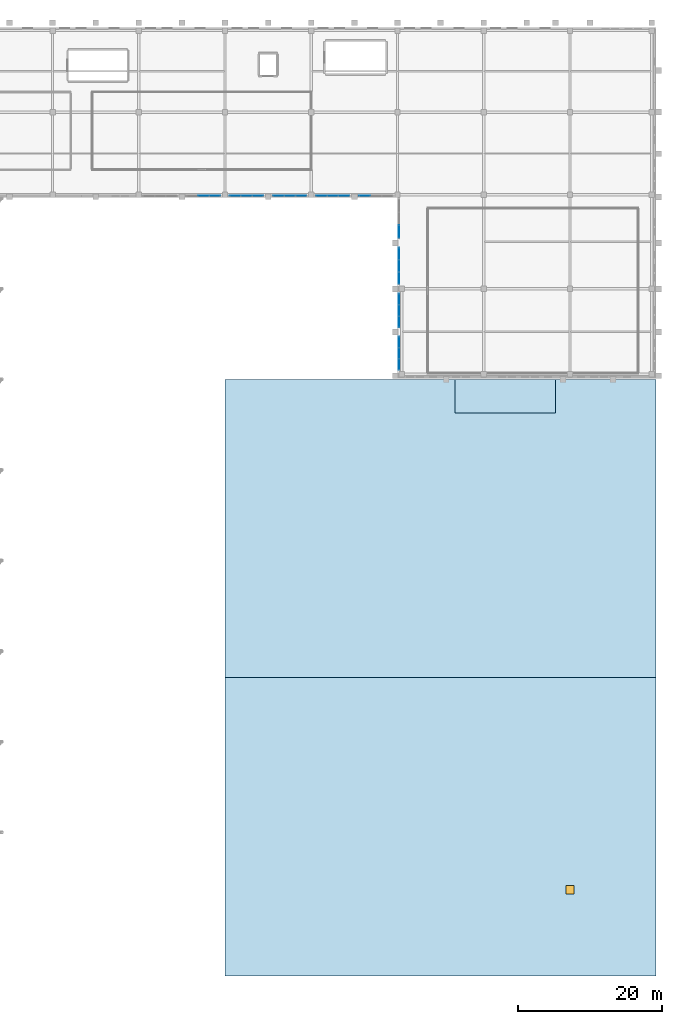
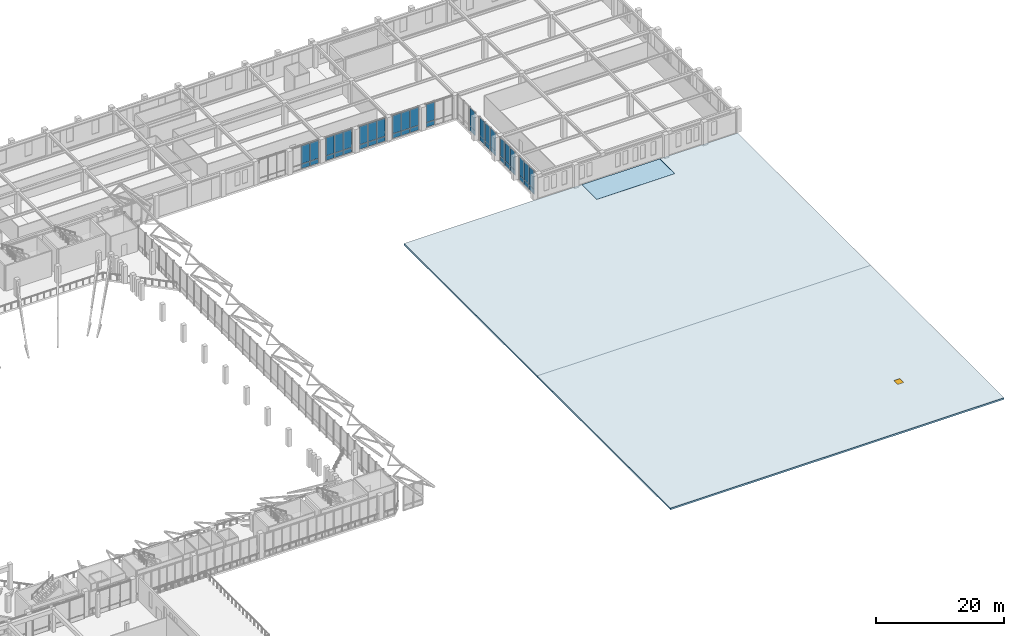
# One storey, part 50 of 79: 44 plates, 3 slabs, 1 door, 1 opening, 9 elements without a shape of their own.
"""IFC4 building model written with IfcOpenShell, lengths in metres."""

from ifc_helpers import new_model, si_unit, derived_unit, direction, frame, origin, origin_2d, place, context, subcontext, project, spatial, polyline, rectangle, outline, extrude, material, layer, layer_set, type_object, element, fill, aggregate, save


model = new_model("IFC4")

# Units and contexts
model_context = context("Model", 3, precision=1e-05, world=origin(), true_north=direction((0.0, 1.0)))
body_context = subcontext(model_context, "Body", "Model", "MODEL_VIEW")
ifc_project = project(units=[si_unit("LENGTHUNIT", "METRE"), si_unit("AREAUNIT", "SQUARE_METRE"), si_unit("VOLUMEUNIT", "CUBIC_METRE"), si_unit("PLANEANGLEUNIT", "RADIAN"), si_unit("MASSUNIT", "GRAM", prefix="KILO"), derived_unit("THERMALTRANSMITTANCEUNIT", [(si_unit("MASSUNIT", "GRAM", prefix="KILO"), 1), (si_unit("TIMEUNIT", "SECOND"), -3), (si_unit("THERMODYNAMICTEMPERATUREUNIT", "KELVIN"), -1)])], contexts=[model_context])

# Site, building, storey
site_placement = place(None, origin())
site = spatial("IfcSite", under=ifc_project, at=site_placement, CompositionType="ELEMENT")
building_placement = place(site_placement, origin())
building = spatial("IfcBuilding", under=site, at=building_placement, Name="Valcora Ridge Arena", CompositionType="ELEMENT")
storey_placement = place(building_placement, frame((0.0, 0.0, 16.199951171875)))
storey = spatial("IfcBuildingStorey", under=building, at=storey_placement, Name="L03", CompositionType="ELEMENT", Elevation=16.199951171875)

# Curtain wall, plates
ifc_material_1 = material(Name="Anodised dark bronze architectural aluminium 6063-T6", Category="aluminium")
ifc_layer_1 = layer(ifc_material_1, 0.14990234375, Name="Anodised dark bronze architectural aluminium 6063-T6")
ifc_layer_set_1 = layer_set([ifc_layer_1], Name="Anodised dark bronze architectural aluminium 6063-T6")
curtain_wall_type_1 = type_object("IfcCurtainWallType", Name="TY-CURTAINWALL-CW-V5-MED-046X45", PredefinedType="NOTDEFINED", material=ifc_layer_set_1)
curtain_wall_1_placement = place(storey_placement, origin())
curtain_wall_1 = element("IfcCurtainWall", 1, at=curtain_wall_1_placement, inside=storey, type_object=curtain_wall_type_1, Name="CW-V5-MED-046X45 CW-0342", PredefinedType="NOTDEFINED")
ifc_material_2 = material(Name="Low-iron solar-control double glazing SHGC 0.28", Category="glass")
ifc_layer_2 = layer(ifc_material_2, 0.028076171875, Name="Low-iron solar-control double glazing SHGC 0.28")
ifc_layer_set_2 = layer_set([ifc_layer_2], Name="Low-iron solar-control double glazing SHGC 0.28")
plate_type_1 = type_object("IfcPlateType", Name="TY-PLT-CWP-1473X0875", PredefinedType="CURTAIN_PANEL", material=ifc_layer_set_2)
plate_1_placement = place(storey_placement, frame((156.219970703125, 85.1015625, 0.050048828125), z_axis=(0.0, 0.0, 1.0), x_axis=(0.0, 1.0, 0.0)))
plate_1 = element("IfcPlate", 2, at=plate_1_placement, type_object=plate_type_1, Name="CW-0342/P00-00", PredefinedType="CURTAIN_PANEL", context=body_context, shape_type="SweptSolid", body=[
    extrude(rectangle(XDim=1.472900390625, YDim=0.028076171875, at=origin_2d()), origin(), (0.0, 0.0, 1.0), 0.875),
])
plate_2_placement = place(storey_placement, frame((156.219970703125, 88.173583984375, 0.050048828125), z_axis=(0.0, 0.0, 1.0), x_axis=(0.0, 1.0, 0.0)))
plate_2 = element("IfcPlate", 3, at=plate_2_placement, type_object=plate_type_1, Name="CW-0342/P02-00", PredefinedType="CURTAIN_PANEL", context=body_context, shape_type="SweptSolid", body=[
    extrude(rectangle(XDim=1.472900390625, YDim=0.028076171875, at=origin_2d()), origin(), (0.0, 0.0, 1.0), 0.875),
])
ifc_layer_3 = layer(ifc_material_2, 0.028076171875, Name="Low-iron solar-control double glazing SHGC 0.28")
ifc_layer_set_3 = layer_set([ifc_layer_3], Name="Low-iron solar-control double glazing SHGC 0.28")
plate_type_2 = type_object("IfcPlateType", Name="TY-PLT-CWP-1473X3435", PredefinedType="CURTAIN_PANEL", material=ifc_layer_set_3)
plate_3_placement = place(storey_placement, frame((156.219970703125, 85.1015625, 0.97509765625), z_axis=(0.0, 0.0, 1.0), x_axis=(0.0, 1.0, 0.0)))
plate_3 = element("IfcPlate", 4, at=plate_3_placement, type_object=plate_type_2, Name="CW-0342/P00-01", PredefinedType="CURTAIN_PANEL", context=body_context, shape_type="SweptSolid", body=[
    extrude(rectangle(XDim=1.472900390625, YDim=0.028076171875, at=origin_2d()), origin(), (0.0, 0.0, 1.0), 3.43505859375),
])
plate_4_placement = place(storey_placement, frame((156.219970703125, 88.173583984375, 0.97509765625), z_axis=(0.0, 0.0, 1.0), x_axis=(0.0, 1.0, 0.0)))
plate_4 = element("IfcPlate", 5, at=plate_4_placement, type_object=plate_type_2, Name="CW-0342/P02-01", PredefinedType="CURTAIN_PANEL", context=body_context, shape_type="SweptSolid", body=[
    extrude(rectangle(XDim=1.472900390625, YDim=0.028076171875, at=origin_2d()), origin(), (0.0, 0.0, 1.0), 3.43505859375),
])

ifc_layer_4 = layer(ifc_material_1, 0.14990234375, Name="Anodised dark bronze architectural aluminium 6063-T6")
ifc_layer_set_4 = layer_set([ifc_layer_4], Name="Anodised dark bronze architectural aluminium 6063-T6")
curtain_wall_type_2 = type_object("IfcCurtainWallType", Name="TY-CURTAINWALL-CW-V5-MED-047X45", PredefinedType="NOTDEFINED", material=ifc_layer_set_4)
curtain_wall_2_placement = place(storey_placement, origin())
curtain_wall_2 = element("IfcCurtainWall", 6, at=curtain_wall_2_placement, inside=storey, type_object=curtain_wall_type_2, Name="CW-V5-MED-047X45 CW-0343", PredefinedType="NOTDEFINED")
ifc_layer_5 = layer(ifc_material_2, 0.028076171875, Name="Low-iron solar-control double glazing SHGC 0.28")
ifc_layer_set_5 = layer_set([ifc_layer_5], Name="Low-iron solar-control double glazing SHGC 0.28")
plate_type_3 = type_object("IfcPlateType", Name="TY-PLT-CWP-1498X0875", PredefinedType="CURTAIN_PANEL", material=ifc_layer_set_5)
plate_5_placement = place(storey_placement, frame((156.219970703125, 91.0390625, 0.050048828125), z_axis=(0.0, 0.0, 1.0), x_axis=(0.0, 1.0, 0.0)))
plate_5 = element("IfcPlate", 7, at=plate_5_placement, type_object=plate_type_3, Name="CW-0343/P00-00", PredefinedType="CURTAIN_PANEL", context=body_context, shape_type="SweptSolid", body=[
    extrude(rectangle(XDim=1.498046875, YDim=0.028076171875, at=origin_2d()), origin(), (0.0, 0.0, 1.0), 0.875),
])
plate_6_placement = place(storey_placement, frame((156.219970703125, 94.160888671875, 0.050048828125), z_axis=(0.0, 0.0, 1.0), x_axis=(0.0, 1.0, 0.0)))
plate_6 = element("IfcPlate", 8, at=plate_6_placement, type_object=plate_type_3, Name="CW-0343/P02-00", PredefinedType="CURTAIN_PANEL", context=body_context, shape_type="SweptSolid", body=[
    extrude(rectangle(XDim=1.498046875, YDim=0.028076171875, at=origin_2d()), origin(), (0.0, 0.0, 1.0), 0.875),
])
ifc_layer_6 = layer(ifc_material_2, 0.028076171875, Name="Low-iron solar-control double glazing SHGC 0.28")
ifc_layer_set_6 = layer_set([ifc_layer_6], Name="Low-iron solar-control double glazing SHGC 0.28")
plate_type_4 = type_object("IfcPlateType", Name="TY-PLT-CWP-1498X3435", PredefinedType="CURTAIN_PANEL", material=ifc_layer_set_6)
plate_7_placement = place(storey_placement, frame((156.219970703125, 91.0390625, 0.97509765625), z_axis=(0.0, 0.0, 1.0), x_axis=(0.0, 1.0, 0.0)))
plate_7 = element("IfcPlate", 9, at=plate_7_placement, type_object=plate_type_4, Name="CW-0343/P00-01", PredefinedType="CURTAIN_PANEL", context=body_context, shape_type="SweptSolid", body=[
    extrude(rectangle(XDim=1.498046875, YDim=0.028076171875, at=origin_2d()), origin(), (0.0, 0.0, 1.0), 3.43505859375),
])
plate_8_placement = place(storey_placement, frame((156.219970703125, 94.160888671875, 0.97509765625), z_axis=(0.0, 0.0, 1.0), x_axis=(0.0, 1.0, 0.0)))
plate_8 = element("IfcPlate", 10, at=plate_8_placement, type_object=plate_type_4, Name="CW-0343/P02-01", PredefinedType="CURTAIN_PANEL", context=body_context, shape_type="SweptSolid", body=[
    extrude(rectangle(XDim=1.498046875, YDim=0.028076171875, at=origin_2d()), origin(), (0.0, 0.0, 1.0), 3.43505859375),
])

# Plate
ifc_layer_7 = layer(ifc_material_2, 0.028076171875, Name="Low-iron solar-control double glazing SHGC 0.28")
ifc_layer_set_7 = layer_set([ifc_layer_7], Name="Low-iron solar-control double glazing SHGC 0.28")
plate_type_5 = type_object("IfcPlateType", Name="TY-PLT-CWP-1499X0875", PredefinedType="CURTAIN_PANEL", material=ifc_layer_set_7)
plate_9_placement = place(storey_placement, frame((156.219970703125, 86.637451171875, 0.050048828125), z_axis=(0.0, 0.0, 1.0), x_axis=(0.0, 1.0, 0.0)))
plate_9 = element("IfcPlate", 11, at=plate_9_placement, type_object=plate_type_5, Name="CW-0342/P01-00", PredefinedType="CURTAIN_PANEL", context=body_context, shape_type="SweptSolid", body=[
    extrude(rectangle(XDim=1.4990234375, YDim=0.028076171875, at=origin_2d()), origin(), (0.0, 0.0, 1.0), 0.875),
])

ifc_layer_8 = layer(ifc_material_2, 0.028076171875, Name="Low-iron solar-control double glazing SHGC 0.28")
ifc_layer_set_8 = layer_set([ifc_layer_8], Name="Low-iron solar-control double glazing SHGC 0.28")
plate_type_6 = type_object("IfcPlateType", Name="TY-PLT-CWP-1499X3435", PredefinedType="CURTAIN_PANEL", material=ifc_layer_set_8)
plate_10_placement = place(storey_placement, frame((156.219970703125, 86.637451171875, 0.97509765625), z_axis=(0.0, 0.0, 1.0), x_axis=(0.0, 1.0, 0.0)))
plate_10 = element("IfcPlate", 12, at=plate_10_placement, type_object=plate_type_6, Name="CW-0342/P01-01", PredefinedType="CURTAIN_PANEL", context=body_context, shape_type="SweptSolid", body=[
    extrude(rectangle(XDim=1.4990234375, YDim=0.028076171875, at=origin_2d()), origin(), (0.0, 0.0, 1.0), 3.43505859375),
])

aggregate(curtain_wall_1, [plate_1, plate_3, plate_9, plate_10, plate_2, plate_4])

# Curtain wall, plate
curtain_wall_3_placement = place(storey_placement, origin())
curtain_wall_3 = element("IfcCurtainWall", 13, at=curtain_wall_3_placement, inside=storey, type_object=curtain_wall_type_2, Name="CW-V5-MED-047X45 CW-0337", PredefinedType="NOTDEFINED")
ifc_layer_9 = layer(ifc_material_2, 0.028076171875, Name="Low-iron solar-control double glazing SHGC 0.28")
ifc_layer_set_9 = layer_set([ifc_layer_9], Name="Low-iron solar-control double glazing SHGC 0.28")
plate_type_7 = type_object("IfcPlateType", Name="TY-PLT-CWP-1507X0875", PredefinedType="CURTAIN_PANEL", material=ifc_layer_set_9)
plate_11_placement = place(storey_placement, frame((130.58154296875, 108.550048828125, 0.050048828125), z_axis=(0.0, 0.0, 1.0), x_axis=(1.0, 0.0, 0.0)))
plate_11 = element("IfcPlate", 14, at=plate_11_placement, type_object=plate_type_7, Name="CW-0337/P02-00", PredefinedType="CURTAIN_PANEL", context=body_context, shape_type="SweptSolid", body=[
    extrude(rectangle(XDim=1.507080078125, YDim=0.028076171875, at=origin_2d()), origin(), (0.0, 0.0, 1.0), 0.875),
])

# Curtain wall, plates
curtain_wall_4_placement = place(storey_placement, origin())
curtain_wall_4 = element("IfcCurtainWall", 15, at=curtain_wall_4_placement, inside=storey, type_object=curtain_wall_type_2, Name="CW-V5-MED-047X45 CW-0338", PredefinedType="NOTDEFINED")
plate_12_placement = place(storey_placement, frame((133.41845703125, 108.550048828125, 0.050048828125), z_axis=(0.0, 0.0, 1.0), x_axis=(1.0, 0.0, 0.0)))
plate_12 = element("IfcPlate", 16, at=plate_12_placement, type_object=plate_type_7, Name="CW-0338/P00-00", PredefinedType="CURTAIN_PANEL", context=body_context, shape_type="SweptSolid", body=[
    extrude(rectangle(XDim=1.507080078125, YDim=0.028076171875, at=origin_2d()), origin(), (0.0, 0.0, 1.0), 0.875),
])
plate_13_placement = place(storey_placement, frame((136.556396484375, 108.550048828125, 0.050048828125), z_axis=(0.0, 0.0, 1.0), x_axis=(1.0, 0.0, 0.0)))
plate_13 = element("IfcPlate", 17, at=plate_13_placement, type_object=plate_type_7, Name="CW-0338/P02-00", PredefinedType="CURTAIN_PANEL", context=body_context, shape_type="SweptSolid", body=[
    extrude(rectangle(XDim=1.507080078125, YDim=0.028076171875, at=origin_2d()), origin(), (0.0, 0.0, 1.0), 0.875),
])

curtain_wall_5_placement = place(storey_placement, origin())
curtain_wall_5 = element("IfcCurtainWall", 18, at=curtain_wall_5_placement, inside=storey, type_object=curtain_wall_type_2, Name="CW-V5-MED-047X45 CW-0339", PredefinedType="NOTDEFINED")
plate_14_placement = place(storey_placement, frame((139.443603515625, 108.550048828125, 0.050048828125), z_axis=(0.0, 0.0, 1.0), x_axis=(1.0, 0.0, 0.0)))
plate_14 = element("IfcPlate", 19, at=plate_14_placement, type_object=plate_type_7, Name="CW-0339/P00-00", PredefinedType="CURTAIN_PANEL", context=body_context, shape_type="SweptSolid", body=[
    extrude(rectangle(XDim=1.507080078125, YDim=0.028076171875, at=origin_2d()), origin(), (0.0, 0.0, 1.0), 0.875),
])
plate_15_placement = place(storey_placement, frame((142.58154296875, 108.550048828125, 0.050048828125), z_axis=(0.0, 0.0, 1.0), x_axis=(1.0, 0.0, 0.0)))
plate_15 = element("IfcPlate", 20, at=plate_15_placement, type_object=plate_type_7, Name="CW-0339/P02-00", PredefinedType="CURTAIN_PANEL", context=body_context, shape_type="SweptSolid", body=[
    extrude(rectangle(XDim=1.507080078125, YDim=0.028076171875, at=origin_2d()), origin(), (0.0, 0.0, 1.0), 0.875),
])

curtain_wall_6_placement = place(storey_placement, origin())
curtain_wall_6 = element("IfcCurtainWall", 21, at=curtain_wall_6_placement, inside=storey, type_object=curtain_wall_type_2, Name="CW-V5-MED-047X45 CW-0340", PredefinedType="NOTDEFINED")
plate_16_placement = place(storey_placement, frame((145.41845703125, 108.550048828125, 0.050048828125), z_axis=(0.0, 0.0, 1.0), x_axis=(1.0, 0.0, 0.0)))
plate_16 = element("IfcPlate", 22, at=plate_16_placement, type_object=plate_type_7, Name="CW-0340/P00-00", PredefinedType="CURTAIN_PANEL", context=body_context, shape_type="SweptSolid", body=[
    extrude(rectangle(XDim=1.507080078125, YDim=0.028076171875, at=origin_2d()), origin(), (0.0, 0.0, 1.0), 0.875),
])
plate_17_placement = place(storey_placement, frame((148.556396484375, 108.550048828125, 0.050048828125), z_axis=(0.0, 0.0, 1.0), x_axis=(1.0, 0.0, 0.0)))
plate_17 = element("IfcPlate", 23, at=plate_17_placement, type_object=plate_type_7, Name="CW-0340/P02-00", PredefinedType="CURTAIN_PANEL", context=body_context, shape_type="SweptSolid", body=[
    extrude(rectangle(XDim=1.507080078125, YDim=0.028076171875, at=origin_2d()), origin(), (0.0, 0.0, 1.0), 0.875),
])

# Curtain wall, plate
curtain_wall_7_placement = place(storey_placement, origin())
curtain_wall_7 = element("IfcCurtainWall", 24, at=curtain_wall_7_placement, inside=storey, type_object=curtain_wall_type_2, Name="CW-V5-MED-047X45 CW-0341", PredefinedType="NOTDEFINED")
plate_18_placement = place(storey_placement, frame((151.443603515625, 108.550048828125, 0.050048828125), z_axis=(0.0, 0.0, 1.0), x_axis=(1.0, 0.0, 0.0)))
plate_18 = element("IfcPlate", 25, at=plate_18_placement, type_object=plate_type_7, Name="CW-0341/P00-00", PredefinedType="CURTAIN_PANEL", context=body_context, shape_type="SweptSolid", body=[
    extrude(rectangle(XDim=1.507080078125, YDim=0.028076171875, at=origin_2d()), origin(), (0.0, 0.0, 1.0), 0.875),
])

# Plate
ifc_layer_10 = layer(ifc_material_2, 0.028076171875, Name="Low-iron solar-control double glazing SHGC 0.28")
ifc_layer_set_10 = layer_set([ifc_layer_10], Name="Low-iron solar-control double glazing SHGC 0.28")
plate_type_8 = type_object("IfcPlateType", Name="TY-PLT-CWP-1507X3435", PredefinedType="CURTAIN_PANEL", material=ifc_layer_set_10)
plate_19_placement = place(storey_placement, frame((130.58154296875, 108.550048828125, 0.97509765625), z_axis=(0.0, 0.0, 1.0), x_axis=(1.0, 0.0, 0.0)))
plate_19 = element("IfcPlate", 26, at=plate_19_placement, type_object=plate_type_8, Name="CW-0337/P02-01", PredefinedType="CURTAIN_PANEL", context=body_context, shape_type="SweptSolid", body=[
    extrude(rectangle(XDim=1.507080078125, YDim=0.028076171875, at=origin_2d()), origin(), (0.0, 0.0, 1.0), 3.43505859375),
])

plate_20_placement = place(storey_placement, frame((133.41845703125, 108.550048828125, 0.97509765625), z_axis=(0.0, 0.0, 1.0), x_axis=(1.0, 0.0, 0.0)))
plate_20 = element("IfcPlate", 27, at=plate_20_placement, type_object=plate_type_8, Name="CW-0338/P00-01", PredefinedType="CURTAIN_PANEL", context=body_context, shape_type="SweptSolid", body=[
    extrude(rectangle(XDim=1.507080078125, YDim=0.028076171875, at=origin_2d()), origin(), (0.0, 0.0, 1.0), 3.43505859375),
])

plate_21_placement = place(storey_placement, frame((136.556396484375, 108.550048828125, 0.97509765625), z_axis=(0.0, 0.0, 1.0), x_axis=(1.0, 0.0, 0.0)))
plate_21 = element("IfcPlate", 28, at=plate_21_placement, type_object=plate_type_8, Name="CW-0338/P02-01", PredefinedType="CURTAIN_PANEL", context=body_context, shape_type="SweptSolid", body=[
    extrude(rectangle(XDim=1.507080078125, YDim=0.028076171875, at=origin_2d()), origin(), (0.0, 0.0, 1.0), 3.43505859375),
])

plate_22_placement = place(storey_placement, frame((139.443603515625, 108.550048828125, 0.97509765625), z_axis=(0.0, 0.0, 1.0), x_axis=(1.0, 0.0, 0.0)))
plate_22 = element("IfcPlate", 29, at=plate_22_placement, type_object=plate_type_8, Name="CW-0339/P00-01", PredefinedType="CURTAIN_PANEL", context=body_context, shape_type="SweptSolid", body=[
    extrude(rectangle(XDim=1.507080078125, YDim=0.028076171875, at=origin_2d()), origin(), (0.0, 0.0, 1.0), 3.43505859375),
])

plate_23_placement = place(storey_placement, frame((142.58154296875, 108.550048828125, 0.97509765625), z_axis=(0.0, 0.0, 1.0), x_axis=(1.0, 0.0, 0.0)))
plate_23 = element("IfcPlate", 30, at=plate_23_placement, type_object=plate_type_8, Name="CW-0339/P02-01", PredefinedType="CURTAIN_PANEL", context=body_context, shape_type="SweptSolid", body=[
    extrude(rectangle(XDim=1.507080078125, YDim=0.028076171875, at=origin_2d()), origin(), (0.0, 0.0, 1.0), 3.43505859375),
])

plate_24_placement = place(storey_placement, frame((145.41845703125, 108.550048828125, 0.97509765625), z_axis=(0.0, 0.0, 1.0), x_axis=(1.0, 0.0, 0.0)))
plate_24 = element("IfcPlate", 31, at=plate_24_placement, type_object=plate_type_8, Name="CW-0340/P00-01", PredefinedType="CURTAIN_PANEL", context=body_context, shape_type="SweptSolid", body=[
    extrude(rectangle(XDim=1.507080078125, YDim=0.028076171875, at=origin_2d()), origin(), (0.0, 0.0, 1.0), 3.43505859375),
])

plate_25_placement = place(storey_placement, frame((148.556396484375, 108.550048828125, 0.97509765625), z_axis=(0.0, 0.0, 1.0), x_axis=(1.0, 0.0, 0.0)))
plate_25 = element("IfcPlate", 32, at=plate_25_placement, type_object=plate_type_8, Name="CW-0340/P02-01", PredefinedType="CURTAIN_PANEL", context=body_context, shape_type="SweptSolid", body=[
    extrude(rectangle(XDim=1.507080078125, YDim=0.028076171875, at=origin_2d()), origin(), (0.0, 0.0, 1.0), 3.43505859375),
])

plate_26_placement = place(storey_placement, frame((151.443603515625, 108.550048828125, 0.97509765625), z_axis=(0.0, 0.0, 1.0), x_axis=(1.0, 0.0, 0.0)))
plate_26 = element("IfcPlate", 33, at=plate_26_placement, type_object=plate_type_8, Name="CW-0341/P00-01", PredefinedType="CURTAIN_PANEL", context=body_context, shape_type="SweptSolid", body=[
    extrude(rectangle(XDim=1.507080078125, YDim=0.028076171875, at=origin_2d()), origin(), (0.0, 0.0, 1.0), 3.43505859375),
])

aggregate(curtain_wall_7, [plate_18, plate_26])

ifc_layer_11 = layer(ifc_material_2, 0.028076171875, Name="Low-iron solar-control double glazing SHGC 0.28")
ifc_layer_set_11 = layer_set([ifc_layer_11], Name="Low-iron solar-control double glazing SHGC 0.28")
plate_type_9 = type_object("IfcPlateType", Name="TY-PLT-CWP-1524X0875", PredefinedType="CURTAIN_PANEL", material=ifc_layer_set_11)
plate_27_placement = place(storey_placement, frame((156.219970703125, 92.60009765625, 0.050048828125), z_axis=(0.0, 0.0, 1.0), x_axis=(0.0, 1.0, 0.0)))
plate_27 = element("IfcPlate", 34, at=plate_27_placement, type_object=plate_type_9, Name="CW-0343/P01-00", PredefinedType="CURTAIN_PANEL", context=body_context, shape_type="SweptSolid", body=[
    extrude(rectangle(XDim=1.52392578125, YDim=0.028076171875, at=origin_2d()), origin(), (0.0, 0.0, 1.0), 0.875),
])

ifc_layer_12 = layer(ifc_material_2, 0.028076171875, Name="Low-iron solar-control double glazing SHGC 0.28")
ifc_layer_set_12 = layer_set([ifc_layer_12], Name="Low-iron solar-control double glazing SHGC 0.28")
plate_type_10 = type_object("IfcPlateType", Name="TY-PLT-CWP-1524X3435", PredefinedType="CURTAIN_PANEL", material=ifc_layer_set_12)
plate_28_placement = place(storey_placement, frame((156.219970703125, 92.60009765625, 0.97509765625), z_axis=(0.0, 0.0, 1.0), x_axis=(0.0, 1.0, 0.0)))
plate_28 = element("IfcPlate", 35, at=plate_28_placement, type_object=plate_type_10, Name="CW-0343/P01-01", PredefinedType="CURTAIN_PANEL", context=body_context, shape_type="SweptSolid", body=[
    extrude(rectangle(XDim=1.52392578125, YDim=0.028076171875, at=origin_2d()), origin(), (0.0, 0.0, 1.0), 3.43505859375),
])

aggregate(curtain_wall_2, [plate_5, plate_7, plate_27, plate_28, plate_6, plate_8])

ifc_layer_13 = layer(ifc_material_2, 0.028076171875, Name="Low-iron solar-control double glazing SHGC 0.28")
ifc_layer_set_13 = layer_set([ifc_layer_13], Name="Low-iron solar-control double glazing SHGC 0.28")
plate_type_11 = type_object("IfcPlateType", Name="TY-PLT-CWP-1531X0875", PredefinedType="CURTAIN_PANEL", material=ifc_layer_set_13)
plate_29_placement = place(storey_placement, frame((129.012451171875, 108.550048828125, 0.050048828125), z_axis=(0.0, 0.0, 1.0), x_axis=(1.0, 0.0, 0.0)))
plate_29 = element("IfcPlate", 36, at=plate_29_placement, type_object=plate_type_11, Name="CW-0337/P01-00", PredefinedType="CURTAIN_PANEL", context=body_context, shape_type="SweptSolid", body=[
    extrude(rectangle(XDim=1.531005859375, YDim=0.028076171875, at=origin_2d()), origin(), (0.0, 0.0, 1.0), 0.875),
])

plate_30_placement = place(storey_placement, frame((134.987548828125, 108.550048828125, 0.050048828125), z_axis=(0.0, 0.0, 1.0), x_axis=(1.0, 0.0, 0.0)))
plate_30 = element("IfcPlate", 37, at=plate_30_placement, type_object=plate_type_11, Name="CW-0338/P01-00", PredefinedType="CURTAIN_PANEL", context=body_context, shape_type="SweptSolid", body=[
    extrude(rectangle(XDim=1.531005859375, YDim=0.028076171875, at=origin_2d()), origin(), (0.0, 0.0, 1.0), 0.875),
])

plate_31_placement = place(storey_placement, frame((141.012451171875, 108.550048828125, 0.050048828125), z_axis=(0.0, 0.0, 1.0), x_axis=(1.0, 0.0, 0.0)))
plate_31 = element("IfcPlate", 38, at=plate_31_placement, type_object=plate_type_11, Name="CW-0339/P01-00", PredefinedType="CURTAIN_PANEL", context=body_context, shape_type="SweptSolid", body=[
    extrude(rectangle(XDim=1.531005859375, YDim=0.028076171875, at=origin_2d()), origin(), (0.0, 0.0, 1.0), 0.875),
])

plate_32_placement = place(storey_placement, frame((146.987548828125, 108.550048828125, 0.050048828125), z_axis=(0.0, 0.0, 1.0), x_axis=(1.0, 0.0, 0.0)))
plate_32 = element("IfcPlate", 39, at=plate_32_placement, type_object=plate_type_11, Name="CW-0340/P01-00", PredefinedType="CURTAIN_PANEL", context=body_context, shape_type="SweptSolid", body=[
    extrude(rectangle(XDim=1.531005859375, YDim=0.028076171875, at=origin_2d()), origin(), (0.0, 0.0, 1.0), 0.875),
])

ifc_layer_14 = layer(ifc_material_2, 0.028076171875, Name="Low-iron solar-control double glazing SHGC 0.28")
ifc_layer_set_14 = layer_set([ifc_layer_14], Name="Low-iron solar-control double glazing SHGC 0.28")
plate_type_12 = type_object("IfcPlateType", Name="TY-PLT-CWP-1531X3435", PredefinedType="CURTAIN_PANEL", material=ifc_layer_set_14)
plate_33_placement = place(storey_placement, frame((129.012451171875, 108.550048828125, 0.97509765625), z_axis=(0.0, 0.0, 1.0), x_axis=(1.0, 0.0, 0.0)))
plate_33 = element("IfcPlate", 40, at=plate_33_placement, type_object=plate_type_12, Name="CW-0337/P01-01", PredefinedType="CURTAIN_PANEL", context=body_context, shape_type="SweptSolid", body=[
    extrude(rectangle(XDim=1.531005859375, YDim=0.028076171875, at=origin_2d()), origin(), (0.0, 0.0, 1.0), 3.43505859375),
])

aggregate(curtain_wall_3, [plate_29, plate_33, plate_11, plate_19])

plate_34_placement = place(storey_placement, frame((134.987548828125, 108.550048828125, 0.97509765625), z_axis=(0.0, 0.0, 1.0), x_axis=(1.0, 0.0, 0.0)))
plate_34 = element("IfcPlate", 41, at=plate_34_placement, type_object=plate_type_12, Name="CW-0338/P01-01", PredefinedType="CURTAIN_PANEL", context=body_context, shape_type="SweptSolid", body=[
    extrude(rectangle(XDim=1.531005859375, YDim=0.028076171875, at=origin_2d()), origin(), (0.0, 0.0, 1.0), 3.43505859375),
])

aggregate(curtain_wall_4, [plate_12, plate_20, plate_30, plate_34, plate_13, plate_21])

plate_35_placement = place(storey_placement, frame((141.012451171875, 108.550048828125, 0.97509765625), z_axis=(0.0, 0.0, 1.0), x_axis=(1.0, 0.0, 0.0)))
plate_35 = element("IfcPlate", 42, at=plate_35_placement, type_object=plate_type_12, Name="CW-0339/P01-01", PredefinedType="CURTAIN_PANEL", context=body_context, shape_type="SweptSolid", body=[
    extrude(rectangle(XDim=1.531005859375, YDim=0.028076171875, at=origin_2d()), origin(), (0.0, 0.0, 1.0), 3.43505859375),
])

aggregate(curtain_wall_5, [plate_14, plate_22, plate_31, plate_35, plate_15, plate_23])

plate_36_placement = place(storey_placement, frame((146.987548828125, 108.550048828125, 0.97509765625), z_axis=(0.0, 0.0, 1.0), x_axis=(1.0, 0.0, 0.0)))
plate_36 = element("IfcPlate", 43, at=plate_36_placement, type_object=plate_type_12, Name="CW-0340/P01-01", PredefinedType="CURTAIN_PANEL", context=body_context, shape_type="SweptSolid", body=[
    extrude(rectangle(XDim=1.531005859375, YDim=0.028076171875, at=origin_2d()), origin(), (0.0, 0.0, 1.0), 3.43505859375),
])

aggregate(curtain_wall_6, [plate_16, plate_24, plate_32, plate_36, plate_17, plate_25])

# Curtain wall, plates
ifc_layer_15 = layer(ifc_material_1, 0.14990234375, Name="Anodised dark bronze architectural aluminium 6063-T6")
ifc_layer_set_15 = layer_set([ifc_layer_15], Name="Anodised dark bronze architectural aluminium 6063-T6")
curtain_wall_type_3 = type_object("IfcCurtainWallType", Name="TY-CURTAINWALL-CW-V5-MED-051X45", PredefinedType="NOTDEFINED", material=ifc_layer_set_15)
curtain_wall_8_placement = place(storey_placement, origin())
curtain_wall_8 = element("IfcCurtainWall", 44, at=curtain_wall_8_placement, inside=storey, type_object=curtain_wall_type_3, Name="CW-V5-MED-051X45 CW-0344", PredefinedType="NOTDEFINED")
ifc_layer_16 = layer(ifc_material_2, 0.028076171875, Name="Low-iron solar-control double glazing SHGC 0.28")
ifc_layer_set_16 = layer_set([ifc_layer_16], Name="Low-iron solar-control double glazing SHGC 0.28")
plate_type_13 = type_object("IfcPlateType", Name="TY-PLT-CWP-1632X0875", PredefinedType="CURTAIN_PANEL", material=ifc_layer_set_16)
plate_37_placement = place(storey_placement, frame((156.219970703125, 97.10595703125, 0.050048828125), z_axis=(0.0, 0.0, 1.0), x_axis=(0.0, 1.0, 0.0)))
plate_37 = element("IfcPlate", 45, at=plate_37_placement, type_object=plate_type_13, Name="CW-0344/P00-00", PredefinedType="CURTAIN_PANEL", context=body_context, shape_type="SweptSolid", body=[
    extrude(rectangle(XDim=1.632080078125, YDim=0.028076171875, at=origin_2d()), origin(), (0.0, 0.0, 1.0), 0.875),
])
plate_38_placement = place(storey_placement, frame((156.219970703125, 100.493896484375, 0.050048828125), z_axis=(0.0, 0.0, 1.0), x_axis=(0.0, 1.0, 0.0)))
plate_38 = element("IfcPlate", 46, at=plate_38_placement, type_object=plate_type_13, Name="CW-0344/P02-00", PredefinedType="CURTAIN_PANEL", context=body_context, shape_type="SweptSolid", body=[
    extrude(rectangle(XDim=1.632080078125, YDim=0.028076171875, at=origin_2d()), origin(), (0.0, 0.0, 1.0), 0.875),
])
ifc_layer_17 = layer(ifc_material_2, 0.028076171875, Name="Low-iron solar-control double glazing SHGC 0.28")
ifc_layer_set_17 = layer_set([ifc_layer_17], Name="Low-iron solar-control double glazing SHGC 0.28")
plate_type_14 = type_object("IfcPlateType", Name="TY-PLT-CWP-1632X3435", PredefinedType="CURTAIN_PANEL", material=ifc_layer_set_17)
plate_39_placement = place(storey_placement, frame((156.219970703125, 97.10595703125, 0.97509765625), z_axis=(0.0, 0.0, 1.0), x_axis=(0.0, 1.0, 0.0)))
plate_39 = element("IfcPlate", 47, at=plate_39_placement, type_object=plate_type_14, Name="CW-0344/P00-01", PredefinedType="CURTAIN_PANEL", context=body_context, shape_type="SweptSolid", body=[
    extrude(rectangle(XDim=1.632080078125, YDim=0.028076171875, at=origin_2d()), origin(), (0.0, 0.0, 1.0), 3.43505859375),
])
plate_40_placement = place(storey_placement, frame((156.219970703125, 100.493896484375, 0.97509765625), z_axis=(0.0, 0.0, 1.0), x_axis=(0.0, 1.0, 0.0)))
plate_40 = element("IfcPlate", 48, at=plate_40_placement, type_object=plate_type_14, Name="CW-0344/P02-01", PredefinedType="CURTAIN_PANEL", context=body_context, shape_type="SweptSolid", body=[
    extrude(rectangle(XDim=1.632080078125, YDim=0.028076171875, at=origin_2d()), origin(), (0.0, 0.0, 1.0), 3.43505859375),
])
ifc_layer_18 = layer(ifc_material_2, 0.028076171875, Name="Low-iron solar-control double glazing SHGC 0.28")
ifc_layer_set_18 = layer_set([ifc_layer_18], Name="Low-iron solar-control double glazing SHGC 0.28")
plate_type_15 = type_object("IfcPlateType", Name="TY-PLT-CWP-1656X0875", PredefinedType="CURTAIN_PANEL", material=ifc_layer_set_18)
plate_41_placement = place(storey_placement, frame((156.219970703125, 98.800048828125, 0.050048828125), z_axis=(0.0, 0.0, 1.0), x_axis=(0.0, 1.0, 0.0)))
plate_41 = element("IfcPlate", 49, at=plate_41_placement, type_object=plate_type_15, Name="CW-0344/P01-00", PredefinedType="CURTAIN_PANEL", context=body_context, shape_type="SweptSolid", body=[
    extrude(rectangle(XDim=1.656005859375, YDim=0.028076171875, at=origin_2d()), origin(), (0.0, 0.0, 1.0), 0.875),
])
ifc_layer_19 = layer(ifc_material_2, 0.028076171875, Name="Low-iron solar-control double glazing SHGC 0.28")
ifc_layer_set_19 = layer_set([ifc_layer_19], Name="Low-iron solar-control double glazing SHGC 0.28")
plate_type_16 = type_object("IfcPlateType", Name="TY-PLT-CWP-1656X3435", PredefinedType="CURTAIN_PANEL", material=ifc_layer_set_19)
plate_42_placement = place(storey_placement, frame((156.219970703125, 98.800048828125, 0.97509765625), z_axis=(0.0, 0.0, 1.0), x_axis=(0.0, 1.0, 0.0)))
plate_42 = element("IfcPlate", 50, at=plate_42_placement, type_object=plate_type_16, Name="CW-0344/P01-01", PredefinedType="CURTAIN_PANEL", context=body_context, shape_type="SweptSolid", body=[
    extrude(rectangle(XDim=1.656005859375, YDim=0.028076171875, at=origin_2d()), origin(), (0.0, 0.0, 1.0), 3.43505859375),
])
aggregate(curtain_wall_8, [plate_37, plate_39, plate_41, plate_42, plate_38, plate_40])

ifc_layer_20 = layer(ifc_material_1, 0.14990234375, Name="Anodised dark bronze architectural aluminium 6063-T6")
ifc_layer_set_20 = layer_set([ifc_layer_20], Name="Anodised dark bronze architectural aluminium 6063-T6")
curtain_wall_type_4 = type_object("IfcCurtainWallType", Name="TY-CURTAINWALL-CW-V5-MED-054X45", PredefinedType="NOTDEFINED", material=ifc_layer_set_20)
curtain_wall_9_placement = place(storey_placement, origin())
curtain_wall_9 = element("IfcCurtainWall", 51, at=curtain_wall_9_placement, inside=storey, type_object=curtain_wall_type_4, Name="CW-V5-MED-054X45 CW-0345", PredefinedType="NOTDEFINED")
ifc_layer_21 = layer(ifc_material_2, 0.028076171875, Name="Low-iron solar-control double glazing SHGC 0.28")
ifc_layer_set_21 = layer_set([ifc_layer_21], Name="Low-iron solar-control double glazing SHGC 0.28")
plate_type_17 = type_object("IfcPlateType", Name="TY-PLT-CWP-1740X0875", PredefinedType="CURTAIN_PANEL", material=ifc_layer_set_21)
plate_43_placement = place(storey_placement, frame((156.219970703125, 103.56005859375, 0.050048828125), z_axis=(0.0, 0.0, 1.0), x_axis=(0.0, 1.0, 0.0)))
plate_43 = element("IfcPlate", 52, at=plate_43_placement, type_object=plate_type_17, Name="CW-0345/P00-00", PredefinedType="CURTAIN_PANEL", context=body_context, shape_type="SweptSolid", body=[
    extrude(rectangle(XDim=1.739990234375, YDim=0.028076171875, at=origin_2d()), origin(), (0.0, 0.0, 1.0), 0.875),
])
ifc_layer_22 = layer(ifc_material_2, 0.028076171875, Name="Low-iron solar-control double glazing SHGC 0.28")
ifc_layer_set_22 = layer_set([ifc_layer_22], Name="Low-iron solar-control double glazing SHGC 0.28")
plate_type_18 = type_object("IfcPlateType", Name="TY-PLT-CWP-1740X3435", PredefinedType="CURTAIN_PANEL", material=ifc_layer_set_22)
plate_44_placement = place(storey_placement, frame((156.219970703125, 103.56005859375, 0.97509765625), z_axis=(0.0, 0.0, 1.0), x_axis=(0.0, 1.0, 0.0)))
plate_44 = element("IfcPlate", 53, at=plate_44_placement, type_object=plate_type_18, Name="CW-0345/P00-01", PredefinedType="CURTAIN_PANEL", context=body_context, shape_type="SweptSolid", body=[
    extrude(rectangle(XDim=1.739990234375, YDim=0.028076171875, at=origin_2d()), origin(), (0.0, 0.0, 1.0), 3.43505859375),
])
aggregate(curtain_wall_9, [plate_43, plate_44])

# Slabs
ifc_material_3 = material(Name="Concrete C40/50", Category="concrete")
ifc_layer_23 = layer(ifc_material_3, 0.320068359375, Name="Concrete C40/50")
ifc_layer_set_23 = layer_set([ifc_layer_23], Name="Concrete C40/50")
slab_type_1 = type_object("IfcSlabType", Name="TY-SLAB-RF-BRG-SJ5", PredefinedType="ROOF", material=ifc_layer_set_23)
slab_1_placement = place(storey_placement, frame((0.0, 0.0, -0.320068359375)))
element("IfcSlab", 54, at=slab_1_placement, inside=storey, type_object=slab_type_1, Name="RF-BRG-SJ5 SLB-0088", PredefinedType="ROOF", context=body_context, shape_type="SweptSolid", body=[
    extrude(outline(polyline([(178.0, 78.35009765625), (178.0, 83.0), (164.0, 83.0), (164.0, 78.35009765625), (178.0, 78.35009765625)])), origin(), (0.0, 0.0, 1.0), 0.320068359375),
])
ifc_layer_24 = layer(ifc_material_3, 0.320068359375, Name="Concrete C40/50")
ifc_layer_set_24 = layer_set([ifc_layer_24], Name="Concrete C40/50")
slab_type_2 = type_object("IfcSlabType", Name="TY-SLAB-RF-V2-320-N", PredefinedType="ROOF", material=ifc_layer_set_24)
slab_2_placement = place(storey_placement, frame((0.0, 0.0, -0.320068359375)))
element("IfcSlab", 55, at=slab_2_placement, inside=storey, type_object=slab_type_2, Name="RF-V2-320-N SLB-0091", PredefinedType="ROOF", context=body_context, shape_type="SweptSolid", body=[
    extrude(outline(polyline([(132.0, 41.5), (192.0, 41.5), (192.0, 83.0), (178.02001953125, 83.0), (178.02001953125, 78.330078125), (163.97998046875, 78.330078125), (163.97998046875, 83.0), (132.0, 83.0), (132.0, 41.5)])), origin(), (0.0, 0.0, 1.0), 0.320068359375),
])

# Slab, opening, door
ifc_layer_25 = layer(ifc_material_3, 0.320068359375, Name="Concrete C40/50")
ifc_layer_set_25 = layer_set([ifc_layer_25], Name="Concrete C40/50")
slab_type_3 = type_object("IfcSlabType", Name="TY-SLAB-RF-V2-320-S", PredefinedType="ROOF", material=ifc_layer_set_25)
slab_3_placement = place(storey_placement, frame((0.0, 0.0, -0.320068359375)))
slab_3 = element("IfcSlab", 56, at=slab_3_placement, inside=storey, type_object=slab_type_3, Name="RF-V2-320-S SLB-0090", PredefinedType="ROOF", context=body_context, shape_type="SweptSolid", body=[
    extrude(outline(polyline([(192.0, 0.0), (192.0, 41.5), (132.0, 41.5), (132.0, 0.0), (192.0, 0.0)]), holes=[polyline([(179.455078125, 12.594970703125), (179.455078125, 11.405029296875), (180.544921875, 11.405029296875), (180.544921875, 12.594970703125), (179.455078125, 12.594970703125)])]), origin(), (0.0, 0.0, 1.0), 0.320068359375),
])
opening_placement = place(slab_3_placement, frame((180.0, 12.0, 0.0)))
opening = element("IfcOpeningElement", 57, at=opening_placement, cuts=slab_3, Name="Opening HT-ROOF-110", PredefinedType="OPENING", context=body_context, shape_type="SweptSolid", body=[
    extrude(rectangle(XDim=1.10009765625, YDim=1.199951171875, at=origin_2d()), frame((0.0, 0.0, -0.010009765625)), (0.0, 0.0, 1.0), 0.340087890625),
])
ifc_material_4 = material(Name="Acoustic insulated galvanized steel roller shutter", Category="steel")
door_type = type_object("IfcDoorType", Name="TY-DOOR-HT-ROOF-110", OperationType="NOTDEFINED", PredefinedType="TRAPDOOR", material=ifc_material_4)
door_placement = place(opening_placement, frame((0.0, 0.0, 0.280029296875)))
door = element("IfcDoor", 58, at=door_placement, inside=storey, type_object=door_type, Name="HT-ROOF-110 DOR-HT-0003", OperationType="SWING_FIXED_LEFT", OverallHeight=1.199951171875, OverallWidth=1.10009765625, PredefinedType="TRAPDOOR", context=body_context, shape_type="SweptSolid", body=[
    extrude(rectangle(XDim=1.10009765625, YDim=1.199951171875, at=origin_2d()), origin(), (0.0, 0.0, 1.0), 0.0400390625),
])
fill(opening, door)

save(model, "model.ifc")
